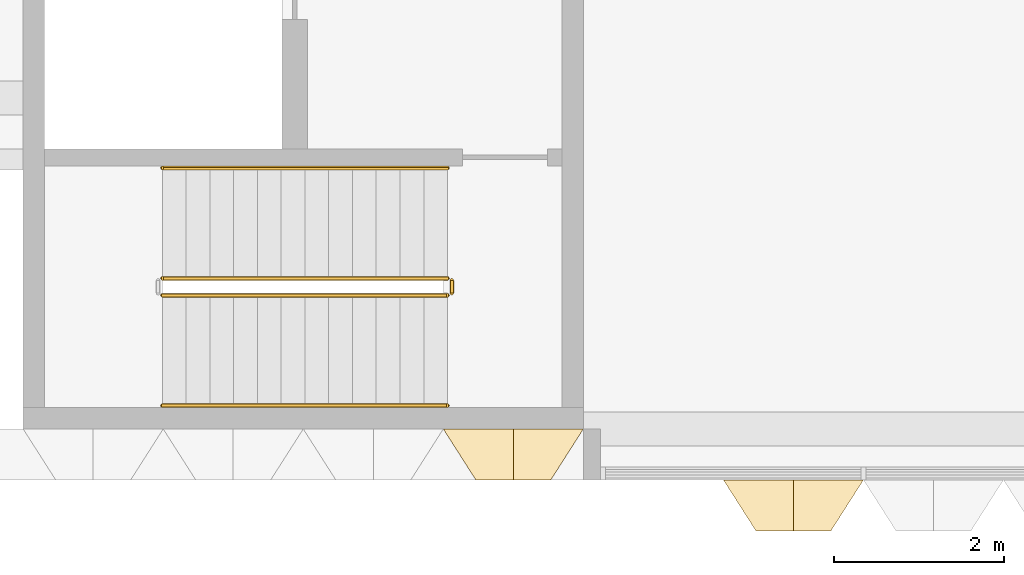
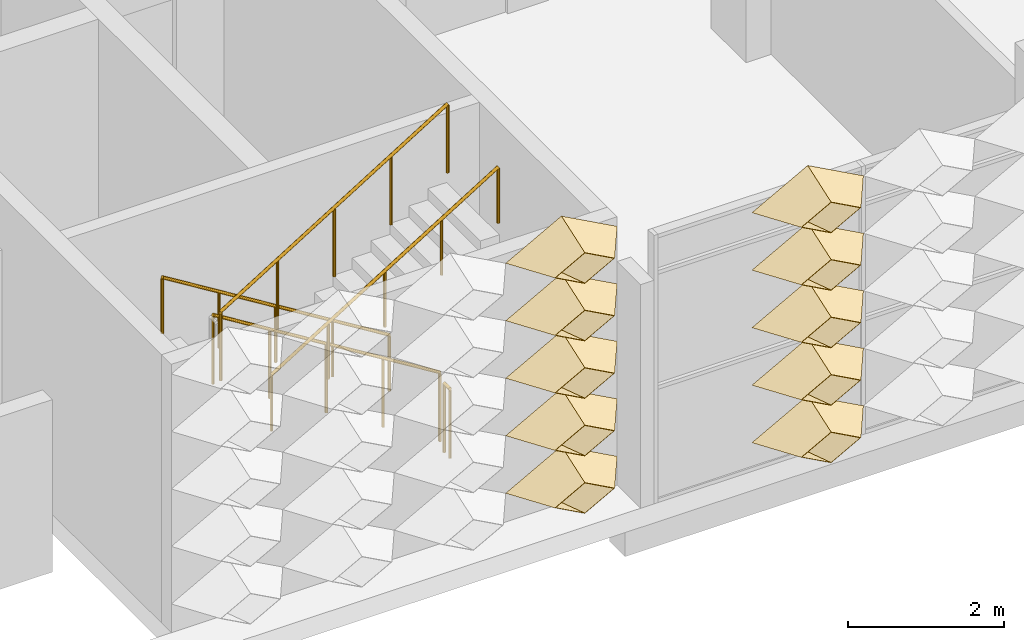
# One storey, part 63 of 102: 10 coverings, 5 railings.
"""IFC4 building model written with IfcOpenShell, lengths in metres."""

from ifc_helpers import new_model, entity, si_unit, direction, frame, origin, origin_2d, place, context, subcontext, project, spatial, circle, extrude, material, layer, layer_set, type_object, element, save


model = new_model("IFC4")

# Units and contexts
model_context = context("Model", 3, precision=1e-05, world=origin(), true_north=direction((0.0, 1.0)))
body_context = subcontext(model_context, "Body", "Model", "MODEL_VIEW")
ifc_project = project(units=[si_unit("LENGTHUNIT", "METRE"), si_unit("AREAUNIT", "SQUARE_METRE"), si_unit("VOLUMEUNIT", "CUBIC_METRE"), si_unit("PLANEANGLEUNIT", "RADIAN"), si_unit("MASSUNIT", "GRAM", prefix="KILO")], contexts=[model_context])

# Site, building, storey
site_placement = place(None, origin())
site = spatial("IfcSite", under=ifc_project, at=site_placement, CompositionType="ELEMENT")
building_placement = place(site_placement, origin())
building = spatial("IfcBuilding", under=site, at=building_placement, Name="Lantern Court Research Institute", CompositionType="ELEMENT")
storey_placement = place(building_placement, frame((0.0, 0.0, 9.89990234375)))
storey = spatial("IfcBuildingStorey", under=building, at=storey_placement, Name="L02", CompositionType="ELEMENT", Elevation=9.89990234375)

# Coverings
ifc_material_1 = material(Name="Anodised aluminium", Category="aluminium")
ifc_layer = layer(ifc_material_1, 0.01611328125)
ifc_layer_set = layer_set([ifc_layer], Name="Anodised aluminium")
covering_type = type_object("IfcCoveringType", Name="Fin cassette 1650 x 900 x 600 aluminium", PredefinedType="CLADDING", material=ifc_layer_set)
covering_1_placement = place(storey_placement, frame((58.574951171875, -7.800048828125, 0.4501953125), z_axis=(0.0, -1.0, 0.0), x_axis=(1.0, 0.0, 0.0)))
cartesian_point_1 = entity("IfcCartesianPoint", [0.824951171875, 0.0])
cartesian_point_2 = entity("IfcCartesianPoint", [0.79150390625, 0.0])
cartesian_point_3 = entity("IfcCartesianPoint", [0.44189453125, 0.0])
cartesian_point_4 = entity("IfcCartesianPoint", [0.43359375, 0.0])
element("IfcCovering", 1, at=covering_1_placement, inside=storey, type_object=covering_type, Name="Fin cassette V5S-L02 1.36", PredefinedType="CLADDING", context=body_context, shape_type="SweptSolid", body=[
    entity("IfcExtrudedAreaSolidTapered", entity("IfcArbitraryProfileDefWithVoids", "AREA", None, entity("IfcPolyline", [cartesian_point_1, entity("IfcCartesianPoint", [0.0, 0.449951171875]), entity("IfcCartesianPoint", [-0.824951171875, 0.0]), entity("IfcCartesianPoint", [0.0, -0.449951171875]), cartesian_point_1]), [entity("IfcPolyline", [cartesian_point_2, entity("IfcCartesianPoint", [0.0, 0.431884765625]), entity("IfcCartesianPoint", [-0.79150390625, 0.0]), entity("IfcCartesianPoint", [0.0, -0.431884765625]), cartesian_point_2])]), entity("IfcAxis2Placement3D", entity("IfcCartesianPoint", [0.0, 0.0, 0.0])), entity("IfcDirection", [0.0, 0.0, 1.0]), 0.60009765625, entity("IfcArbitraryProfileDefWithVoids", "AREA", None, entity("IfcPolyline", [cartesian_point_3, entity("IfcCartesianPoint", [0.0, 0.240966796875]), entity("IfcCartesianPoint", [-0.44189453125, 0.0]), entity("IfcCartesianPoint", [0.0, -0.240966796875]), cartesian_point_3]), [entity("IfcPolyline", [cartesian_point_4, entity("IfcCartesianPoint", [0.0, 0.236572265625]), entity("IfcCartesianPoint", [-0.43359375, 0.0]), entity("IfcCartesianPoint", [0.0, -0.236572265625]), cartesian_point_4])])),
])
covering_2_placement = place(storey_placement, frame((58.574951171875, -7.800048828125, 1.35009765625), z_axis=(0.0, -1.0, 0.0), x_axis=(1.0, 0.0, 0.0)))
cartesian_point_5 = entity("IfcCartesianPoint", [0.824951171875, 0.0])
cartesian_point_6 = entity("IfcCartesianPoint", [0.79150390625, 0.0])
cartesian_point_7 = entity("IfcCartesianPoint", [0.44189453125, 0.0])
cartesian_point_8 = entity("IfcCartesianPoint", [0.43359375, 0.0])
element("IfcCovering", 2, at=covering_2_placement, inside=storey, type_object=covering_type, Name="Fin cassette V5S-L02 2.36", PredefinedType="CLADDING", context=body_context, shape_type="SweptSolid", body=[
    entity("IfcExtrudedAreaSolidTapered", entity("IfcArbitraryProfileDefWithVoids", "AREA", None, entity("IfcPolyline", [cartesian_point_5, entity("IfcCartesianPoint", [0.0, 0.449951171875]), entity("IfcCartesianPoint", [-0.824951171875, 0.0]), entity("IfcCartesianPoint", [0.0, -0.449951171875]), cartesian_point_5]), [entity("IfcPolyline", [cartesian_point_6, entity("IfcCartesianPoint", [0.0, 0.431884765625]), entity("IfcCartesianPoint", [-0.79150390625, 0.0]), entity("IfcCartesianPoint", [0.0, -0.431884765625]), cartesian_point_6])]), entity("IfcAxis2Placement3D", entity("IfcCartesianPoint", [0.0, 0.0, 0.0])), entity("IfcDirection", [0.0, 0.0, 1.0]), 0.60009765625, entity("IfcArbitraryProfileDefWithVoids", "AREA", None, entity("IfcPolyline", [cartesian_point_7, entity("IfcCartesianPoint", [0.0, 0.240966796875]), entity("IfcCartesianPoint", [-0.44189453125, 0.0]), entity("IfcCartesianPoint", [0.0, -0.240966796875]), cartesian_point_7]), [entity("IfcPolyline", [cartesian_point_8, entity("IfcCartesianPoint", [0.0, 0.236572265625]), entity("IfcCartesianPoint", [-0.43359375, 0.0]), entity("IfcCartesianPoint", [0.0, -0.236572265625]), cartesian_point_8])])),
])
covering_3_placement = place(storey_placement, frame((58.574951171875, -7.800048828125, 2.25), z_axis=(0.0, -1.0, 0.0), x_axis=(1.0, 0.0, 0.0)))
cartesian_point_9 = entity("IfcCartesianPoint", [0.824951171875, 0.0])
cartesian_point_10 = entity("IfcCartesianPoint", [0.79150390625, 0.0])
cartesian_point_11 = entity("IfcCartesianPoint", [0.44189453125, 0.0])
cartesian_point_12 = entity("IfcCartesianPoint", [0.43359375, 0.0])
element("IfcCovering", 3, at=covering_3_placement, inside=storey, type_object=covering_type, Name="Fin cassette V5S-L02 3.36", PredefinedType="CLADDING", context=body_context, shape_type="SweptSolid", body=[
    entity("IfcExtrudedAreaSolidTapered", entity("IfcArbitraryProfileDefWithVoids", "AREA", None, entity("IfcPolyline", [cartesian_point_9, entity("IfcCartesianPoint", [0.0, 0.449951171875]), entity("IfcCartesianPoint", [-0.824951171875, 0.0]), entity("IfcCartesianPoint", [0.0, -0.449951171875]), cartesian_point_9]), [entity("IfcPolyline", [cartesian_point_10, entity("IfcCartesianPoint", [0.0, 0.431884765625]), entity("IfcCartesianPoint", [-0.79150390625, 0.0]), entity("IfcCartesianPoint", [0.0, -0.431884765625]), cartesian_point_10])]), entity("IfcAxis2Placement3D", entity("IfcCartesianPoint", [0.0, 0.0, 0.0])), entity("IfcDirection", [0.0, 0.0, 1.0]), 0.60009765625, entity("IfcArbitraryProfileDefWithVoids", "AREA", None, entity("IfcPolyline", [cartesian_point_11, entity("IfcCartesianPoint", [0.0, 0.240966796875]), entity("IfcCartesianPoint", [-0.44189453125, 0.0]), entity("IfcCartesianPoint", [0.0, -0.240966796875]), cartesian_point_11]), [entity("IfcPolyline", [cartesian_point_12, entity("IfcCartesianPoint", [0.0, 0.236572265625]), entity("IfcCartesianPoint", [-0.43359375, 0.0]), entity("IfcCartesianPoint", [0.0, -0.236572265625]), cartesian_point_12])])),
])
covering_4_placement = place(storey_placement, frame((58.574951171875, -7.800048828125, 3.150146484375), z_axis=(0.0, -1.0, 0.0), x_axis=(1.0, 0.0, 0.0)))
cartesian_point_13 = entity("IfcCartesianPoint", [0.824951171875, 0.0])
cartesian_point_14 = entity("IfcCartesianPoint", [0.79150390625, 0.0])
cartesian_point_15 = entity("IfcCartesianPoint", [0.44189453125, 0.0])
cartesian_point_16 = entity("IfcCartesianPoint", [0.43359375, 0.0])
element("IfcCovering", 4, at=covering_4_placement, inside=storey, type_object=covering_type, Name="Fin cassette V5S-L02 4.36", PredefinedType="CLADDING", context=body_context, shape_type="SweptSolid", body=[
    entity("IfcExtrudedAreaSolidTapered", entity("IfcArbitraryProfileDefWithVoids", "AREA", None, entity("IfcPolyline", [cartesian_point_13, entity("IfcCartesianPoint", [0.0, 0.449951171875]), entity("IfcCartesianPoint", [-0.824951171875, 0.0]), entity("IfcCartesianPoint", [0.0, -0.449951171875]), cartesian_point_13]), [entity("IfcPolyline", [cartesian_point_14, entity("IfcCartesianPoint", [0.0, 0.431884765625]), entity("IfcCartesianPoint", [-0.79150390625, 0.0]), entity("IfcCartesianPoint", [0.0, -0.431884765625]), cartesian_point_14])]), entity("IfcAxis2Placement3D", entity("IfcCartesianPoint", [0.0, 0.0, 0.0])), entity("IfcDirection", [0.0, 0.0, 1.0]), 0.60009765625, entity("IfcArbitraryProfileDefWithVoids", "AREA", None, entity("IfcPolyline", [cartesian_point_15, entity("IfcCartesianPoint", [0.0, 0.240966796875]), entity("IfcCartesianPoint", [-0.44189453125, 0.0]), entity("IfcCartesianPoint", [0.0, -0.240966796875]), cartesian_point_15]), [entity("IfcPolyline", [cartesian_point_16, entity("IfcCartesianPoint", [0.0, 0.236572265625]), entity("IfcCartesianPoint", [-0.43359375, 0.0]), entity("IfcCartesianPoint", [0.0, -0.236572265625]), cartesian_point_16])])),
])
covering_5_placement = place(storey_placement, frame((58.574951171875, -7.800048828125, 4.050048828125), z_axis=(0.0, -1.0, 0.0), x_axis=(1.0, 0.0, 0.0)))
cartesian_point_17 = entity("IfcCartesianPoint", [0.824951171875, 0.0])
cartesian_point_18 = entity("IfcCartesianPoint", [0.79150390625, 0.0])
cartesian_point_19 = entity("IfcCartesianPoint", [0.44189453125, 0.0])
cartesian_point_20 = entity("IfcCartesianPoint", [0.43359375, 0.0])
element("IfcCovering", 5, at=covering_5_placement, inside=storey, type_object=covering_type, Name="Fin cassette V5S-L02 5.36", PredefinedType="CLADDING", context=body_context, shape_type="SweptSolid", body=[
    entity("IfcExtrudedAreaSolidTapered", entity("IfcArbitraryProfileDefWithVoids", "AREA", None, entity("IfcPolyline", [cartesian_point_17, entity("IfcCartesianPoint", [0.0, 0.449951171875]), entity("IfcCartesianPoint", [-0.824951171875, 0.0]), entity("IfcCartesianPoint", [0.0, -0.449951171875]), cartesian_point_17]), [entity("IfcPolyline", [cartesian_point_18, entity("IfcCartesianPoint", [0.0, 0.431884765625]), entity("IfcCartesianPoint", [-0.79150390625, 0.0]), entity("IfcCartesianPoint", [0.0, -0.431884765625]), cartesian_point_18])]), entity("IfcAxis2Placement3D", entity("IfcCartesianPoint", [0.0, 0.0, 0.0])), entity("IfcDirection", [0.0, 0.0, 1.0]), 0.60009765625, entity("IfcArbitraryProfileDefWithVoids", "AREA", None, entity("IfcPolyline", [cartesian_point_19, entity("IfcCartesianPoint", [0.0, 0.240966796875]), entity("IfcCartesianPoint", [-0.44189453125, 0.0]), entity("IfcCartesianPoint", [0.0, -0.240966796875]), cartesian_point_19]), [entity("IfcPolyline", [cartesian_point_20, entity("IfcCartesianPoint", [0.0, 0.236572265625]), entity("IfcCartesianPoint", [-0.43359375, 0.0]), entity("IfcCartesianPoint", [0.0, -0.236572265625]), cartesian_point_20])])),
])
covering_6_placement = place(storey_placement, frame((61.875, -8.39990234375, 0.4501953125), z_axis=(0.0, -1.0, 0.0), x_axis=(1.0, 0.0, 0.0)))
cartesian_point_21 = entity("IfcCartesianPoint", [0.824951171875, 0.0])
cartesian_point_22 = entity("IfcCartesianPoint", [0.79150390625, 0.0])
cartesian_point_23 = entity("IfcCartesianPoint", [0.44189453125, 0.0])
cartesian_point_24 = entity("IfcCartesianPoint", [0.43359375, 0.0])
element("IfcCovering", 6, at=covering_6_placement, inside=storey, type_object=covering_type, Name="Fin cassette V5S-L02 1.38", PredefinedType="CLADDING", context=body_context, shape_type="SweptSolid", body=[
    entity("IfcExtrudedAreaSolidTapered", entity("IfcArbitraryProfileDefWithVoids", "AREA", None, entity("IfcPolyline", [cartesian_point_21, entity("IfcCartesianPoint", [0.0, 0.449951171875]), entity("IfcCartesianPoint", [-0.824951171875, 0.0]), entity("IfcCartesianPoint", [0.0, -0.449951171875]), cartesian_point_21]), [entity("IfcPolyline", [cartesian_point_22, entity("IfcCartesianPoint", [0.0, 0.431884765625]), entity("IfcCartesianPoint", [-0.79150390625, 0.0]), entity("IfcCartesianPoint", [0.0, -0.431884765625]), cartesian_point_22])]), entity("IfcAxis2Placement3D", entity("IfcCartesianPoint", [0.0, 0.0, 0.0])), entity("IfcDirection", [0.0, 0.0, 1.0]), 0.60009765625, entity("IfcArbitraryProfileDefWithVoids", "AREA", None, entity("IfcPolyline", [cartesian_point_23, entity("IfcCartesianPoint", [0.0, 0.240966796875]), entity("IfcCartesianPoint", [-0.44189453125, 0.0]), entity("IfcCartesianPoint", [0.0, -0.240966796875]), cartesian_point_23]), [entity("IfcPolyline", [cartesian_point_24, entity("IfcCartesianPoint", [0.0, 0.236572265625]), entity("IfcCartesianPoint", [-0.43359375, 0.0]), entity("IfcCartesianPoint", [0.0, -0.236572265625]), cartesian_point_24])])),
])
covering_7_placement = place(storey_placement, frame((61.875, -8.39990234375, 1.35009765625), z_axis=(0.0, -1.0, 0.0), x_axis=(1.0, 0.0, 0.0)))
cartesian_point_25 = entity("IfcCartesianPoint", [0.824951171875, 0.0])
cartesian_point_26 = entity("IfcCartesianPoint", [0.79150390625, 0.0])
cartesian_point_27 = entity("IfcCartesianPoint", [0.44189453125, 0.0])
cartesian_point_28 = entity("IfcCartesianPoint", [0.43359375, 0.0])
element("IfcCovering", 7, at=covering_7_placement, inside=storey, type_object=covering_type, Name="Fin cassette V5S-L02 2.38", PredefinedType="CLADDING", context=body_context, shape_type="SweptSolid", body=[
    entity("IfcExtrudedAreaSolidTapered", entity("IfcArbitraryProfileDefWithVoids", "AREA", None, entity("IfcPolyline", [cartesian_point_25, entity("IfcCartesianPoint", [0.0, 0.449951171875]), entity("IfcCartesianPoint", [-0.824951171875, 0.0]), entity("IfcCartesianPoint", [0.0, -0.449951171875]), cartesian_point_25]), [entity("IfcPolyline", [cartesian_point_26, entity("IfcCartesianPoint", [0.0, 0.431884765625]), entity("IfcCartesianPoint", [-0.79150390625, 0.0]), entity("IfcCartesianPoint", [0.0, -0.431884765625]), cartesian_point_26])]), entity("IfcAxis2Placement3D", entity("IfcCartesianPoint", [0.0, 0.0, 0.0])), entity("IfcDirection", [0.0, 0.0, 1.0]), 0.60009765625, entity("IfcArbitraryProfileDefWithVoids", "AREA", None, entity("IfcPolyline", [cartesian_point_27, entity("IfcCartesianPoint", [0.0, 0.240966796875]), entity("IfcCartesianPoint", [-0.44189453125, 0.0]), entity("IfcCartesianPoint", [0.0, -0.240966796875]), cartesian_point_27]), [entity("IfcPolyline", [cartesian_point_28, entity("IfcCartesianPoint", [0.0, 0.236572265625]), entity("IfcCartesianPoint", [-0.43359375, 0.0]), entity("IfcCartesianPoint", [0.0, -0.236572265625]), cartesian_point_28])])),
])
covering_8_placement = place(storey_placement, frame((61.875, -8.39990234375, 2.25), z_axis=(0.0, -1.0, 0.0), x_axis=(1.0, 0.0, 0.0)))
cartesian_point_29 = entity("IfcCartesianPoint", [0.824951171875, 0.0])
cartesian_point_30 = entity("IfcCartesianPoint", [0.79150390625, 0.0])
cartesian_point_31 = entity("IfcCartesianPoint", [0.44189453125, 0.0])
cartesian_point_32 = entity("IfcCartesianPoint", [0.43359375, 0.0])
element("IfcCovering", 8, at=covering_8_placement, inside=storey, type_object=covering_type, Name="Fin cassette V5S-L02 3.38", PredefinedType="CLADDING", context=body_context, shape_type="SweptSolid", body=[
    entity("IfcExtrudedAreaSolidTapered", entity("IfcArbitraryProfileDefWithVoids", "AREA", None, entity("IfcPolyline", [cartesian_point_29, entity("IfcCartesianPoint", [0.0, 0.449951171875]), entity("IfcCartesianPoint", [-0.824951171875, 0.0]), entity("IfcCartesianPoint", [0.0, -0.449951171875]), cartesian_point_29]), [entity("IfcPolyline", [cartesian_point_30, entity("IfcCartesianPoint", [0.0, 0.431884765625]), entity("IfcCartesianPoint", [-0.79150390625, 0.0]), entity("IfcCartesianPoint", [0.0, -0.431884765625]), cartesian_point_30])]), entity("IfcAxis2Placement3D", entity("IfcCartesianPoint", [0.0, 0.0, 0.0])), entity("IfcDirection", [0.0, 0.0, 1.0]), 0.60009765625, entity("IfcArbitraryProfileDefWithVoids", "AREA", None, entity("IfcPolyline", [cartesian_point_31, entity("IfcCartesianPoint", [0.0, 0.240966796875]), entity("IfcCartesianPoint", [-0.44189453125, 0.0]), entity("IfcCartesianPoint", [0.0, -0.240966796875]), cartesian_point_31]), [entity("IfcPolyline", [cartesian_point_32, entity("IfcCartesianPoint", [0.0, 0.236572265625]), entity("IfcCartesianPoint", [-0.43359375, 0.0]), entity("IfcCartesianPoint", [0.0, -0.236572265625]), cartesian_point_32])])),
])
covering_9_placement = place(storey_placement, frame((61.875, -8.39990234375, 3.150146484375), z_axis=(0.0, -1.0, 0.0), x_axis=(1.0, 0.0, 0.0)))
cartesian_point_33 = entity("IfcCartesianPoint", [0.824951171875, 0.0])
cartesian_point_34 = entity("IfcCartesianPoint", [0.79150390625, 0.0])
cartesian_point_35 = entity("IfcCartesianPoint", [0.44189453125, 0.0])
cartesian_point_36 = entity("IfcCartesianPoint", [0.43359375, 0.0])
element("IfcCovering", 9, at=covering_9_placement, inside=storey, type_object=covering_type, Name="Fin cassette V5S-L02 4.38", PredefinedType="CLADDING", context=body_context, shape_type="SweptSolid", body=[
    entity("IfcExtrudedAreaSolidTapered", entity("IfcArbitraryProfileDefWithVoids", "AREA", None, entity("IfcPolyline", [cartesian_point_33, entity("IfcCartesianPoint", [0.0, 0.449951171875]), entity("IfcCartesianPoint", [-0.824951171875, 0.0]), entity("IfcCartesianPoint", [0.0, -0.449951171875]), cartesian_point_33]), [entity("IfcPolyline", [cartesian_point_34, entity("IfcCartesianPoint", [0.0, 0.431884765625]), entity("IfcCartesianPoint", [-0.79150390625, 0.0]), entity("IfcCartesianPoint", [0.0, -0.431884765625]), cartesian_point_34])]), entity("IfcAxis2Placement3D", entity("IfcCartesianPoint", [0.0, 0.0, 0.0])), entity("IfcDirection", [0.0, 0.0, 1.0]), 0.60009765625, entity("IfcArbitraryProfileDefWithVoids", "AREA", None, entity("IfcPolyline", [cartesian_point_35, entity("IfcCartesianPoint", [0.0, 0.240966796875]), entity("IfcCartesianPoint", [-0.44189453125, 0.0]), entity("IfcCartesianPoint", [0.0, -0.240966796875]), cartesian_point_35]), [entity("IfcPolyline", [cartesian_point_36, entity("IfcCartesianPoint", [0.0, 0.236572265625]), entity("IfcCartesianPoint", [-0.43359375, 0.0]), entity("IfcCartesianPoint", [0.0, -0.236572265625]), cartesian_point_36])])),
])
covering_10_placement = place(storey_placement, frame((61.875, -8.39990234375, 4.050048828125), z_axis=(0.0, -1.0, 0.0), x_axis=(1.0, 0.0, 0.0)))
cartesian_point_37 = entity("IfcCartesianPoint", [0.824951171875, 0.0])
cartesian_point_38 = entity("IfcCartesianPoint", [0.79150390625, 0.0])
cartesian_point_39 = entity("IfcCartesianPoint", [0.44189453125, 0.0])
cartesian_point_40 = entity("IfcCartesianPoint", [0.43359375, 0.0])
element("IfcCovering", 10, at=covering_10_placement, inside=storey, type_object=covering_type, Name="Fin cassette V5S-L02 5.38", PredefinedType="CLADDING", context=body_context, shape_type="SweptSolid", body=[
    entity("IfcExtrudedAreaSolidTapered", entity("IfcArbitraryProfileDefWithVoids", "AREA", None, entity("IfcPolyline", [cartesian_point_37, entity("IfcCartesianPoint", [0.0, 0.449951171875]), entity("IfcCartesianPoint", [-0.824951171875, 0.0]), entity("IfcCartesianPoint", [0.0, -0.449951171875]), cartesian_point_37]), [entity("IfcPolyline", [cartesian_point_38, entity("IfcCartesianPoint", [0.0, 0.431884765625]), entity("IfcCartesianPoint", [-0.79150390625, 0.0]), entity("IfcCartesianPoint", [0.0, -0.431884765625]), cartesian_point_38])]), entity("IfcAxis2Placement3D", entity("IfcCartesianPoint", [0.0, 0.0, 0.0])), entity("IfcDirection", [0.0, 0.0, 1.0]), 0.60009765625, entity("IfcArbitraryProfileDefWithVoids", "AREA", None, entity("IfcPolyline", [cartesian_point_39, entity("IfcCartesianPoint", [0.0, 0.240966796875]), entity("IfcCartesianPoint", [-0.44189453125, 0.0]), entity("IfcCartesianPoint", [0.0, -0.240966796875]), cartesian_point_39]), [entity("IfcPolyline", [cartesian_point_40, entity("IfcCartesianPoint", [0.0, 0.236572265625]), entity("IfcCartesianPoint", [-0.43359375, 0.0]), entity("IfcCartesianPoint", [0.0, -0.236572265625]), cartesian_point_40])])),
])

# Railings
ifc_material_2 = material(Name="Structural steel S355", Category="steel")
railing_type_1 = type_object("IfcRailingType", Name="Stair guard 1100 steel", PredefinedType="GUARDRAIL", material=ifc_material_2)
railing_1_placement = place(storey_placement, frame((57.800048828125, -6.02490234375, 0.173095703125)))
element("IfcRailing", 11, at=railing_1_placement, inside=storey, type_object=railing_type_1, Name="L02 ST-T1 stair guard 1", PredefinedType="GUARDRAIL", context=body_context, shape_type="SweptSolid", body=[
    extrude(circle(Radius=0.02392578125, at=origin_2d()), frame((0.0, 0.0, 1.076171875), z_axis=(-0.850623216509, 0.0, 0.525775754039), x_axis=(0.0, -1.0, 0.0)), (0.0, 0.0, 1.0), 3.9501953125),
    extrude(circle(Radius=0.02099609375, at=origin_2d()), origin(), (0.0, 0.0, 1.0), 1.052001953125),
    extrude(circle(Radius=0.02099609375, at=origin_2d()), frame((-0.840087890625, 0.0, 0.519287109375)), (0.0, 0.0, 1.0), 1.052001953125),
    extrude(circle(Radius=0.02099609375, at=origin_2d()), frame((-1.68017578125, 0.0, 1.03857421875)), (0.0, 0.0, 1.0), 1.052001953125),
    extrude(circle(Radius=0.02099609375, at=origin_2d()), frame((-2.52001953125, 0.0, 1.5576171875)), (0.0, 0.0, 1.0), 1.052001953125),
    extrude(circle(Radius=0.02099609375, at=origin_2d()), frame((-3.360107421875, 0.0, 2.076904296875)), (0.0, 0.0, 1.0), 1.052001953125),
])
railing_2_placement = place(storey_placement, frame((54.43994140625, -6.22509765625, 2.423095703125)))
element("IfcRailing", 12, at=railing_2_placement, inside=storey, type_object=railing_type_1, Name="L02 ST-T1 stair guard 3", PredefinedType="GUARDRAIL", context=body_context, shape_type="SweptSolid", body=[
    extrude(circle(Radius=0.02392578125, at=origin_2d()), frame((0.0, 0.0, 1.076171875), z_axis=(0.850623216509, 0.0, 0.525775754039), x_axis=(0.0, 1.0, 0.0)), (0.0, 0.0, 1.0), 3.9501953125),
    extrude(circle(Radius=0.02099609375, at=origin_2d()), origin(), (0.0, 0.0, 1.0), 1.052001953125),
    extrude(circle(Radius=0.02099609375, at=origin_2d()), frame((0.840087890625, 0.0, 0.519287109375)), (0.0, 0.0, 1.0), 1.052001953125),
    extrude(circle(Radius=0.02099609375, at=origin_2d()), frame((1.68017578125, 0.0, 1.03857421875)), (0.0, 0.0, 1.0), 1.052001953125),
    extrude(circle(Radius=0.02099609375, at=origin_2d()), frame((2.52001953125, 0.0, 1.5576171875)), (0.0, 0.0, 1.0), 1.052001953125),
    extrude(circle(Radius=0.02099609375, at=origin_2d()), frame((3.360107421875, 0.0, 2.076904296875)), (0.0, 0.0, 1.0), 1.052001953125),
])
railing_3_placement = place(storey_placement, frame((57.85009765625, -6.050048828125, 0.0)))
element("IfcRailing", 13, at=railing_3_placement, inside=storey, type_object=railing_type_1, Name="L02 ST-T1 stair guard 4", PredefinedType="GUARDRAIL", context=body_context, shape_type="SweptSolid", body=[
    extrude(circle(Radius=0.02392578125, at=origin_2d()), frame((0.0, 0.0, 1.076171875), z_axis=(0.0, -1.0, 0.0), x_axis=(1.0, 0.0, 0.0)), (0.0, 0.0, 1.0), 0.14990234375),
    extrude(circle(Radius=0.02099609375, at=origin_2d()), origin(), (0.0, 0.0, 1.0), 1.052001953125),
    extrude(circle(Radius=0.02099609375, at=origin_2d()), frame((0.0, -0.14990234375, 0.0)), (0.0, 0.0, 1.0), 1.052001953125),
])
ifc_material_3 = material(Name="Stainless steel 316", Category="steel")
railing_type_2 = type_object("IfcRailingType", Name="Stair handrail 900 steel", PredefinedType="HANDRAIL", material=ifc_material_3)
railing_4_placement = place(storey_placement, frame((57.800048828125, -4.72509765625, 0.173095703125)))
element("IfcRailing", 14, at=railing_4_placement, inside=storey, type_object=railing_type_2, Name="L02 ST-T1 stair handrail 1", PredefinedType="HANDRAIL", context=body_context, shape_type="SweptSolid", body=[
    extrude(circle(Radius=0.02392578125, at=origin_2d()), frame((0.0, 0.0, 0.8759765625), z_axis=(-0.850623216509, 0.0, 0.525775754039), x_axis=(0.0, -1.0, 0.0)), (0.0, 0.0, 1.0), 3.9501953125),
    extrude(circle(Radius=0.02099609375, at=origin_2d()), origin(), (0.0, 0.0, 1.0), 0.851806640625),
    extrude(circle(Radius=0.02099609375, at=origin_2d()), frame((-0.840087890625, 0.0, 0.519287109375)), (0.0, 0.0, 1.0), 0.851806640625),
    extrude(circle(Radius=0.02099609375, at=origin_2d()), frame((-1.68017578125, 0.0, 1.03857421875)), (0.0, 0.0, 1.0), 0.851806640625),
    extrude(circle(Radius=0.02099609375, at=origin_2d()), frame((-2.52001953125, 0.0, 1.5576171875)), (0.0, 0.0, 1.0), 0.851806640625),
    extrude(circle(Radius=0.02099609375, at=origin_2d()), frame((-3.360107421875, 0.0, 2.076904296875)), (0.0, 0.0, 1.0), 0.851806640625),
])
railing_5_placement = place(storey_placement, frame((54.43994140625, -7.52490234375, 2.423095703125)))
element("IfcRailing", 15, at=railing_5_placement, inside=storey, type_object=railing_type_2, Name="L02 ST-T1 stair handrail 2", PredefinedType="HANDRAIL", context=body_context, shape_type="SweptSolid", body=[
    extrude(circle(Radius=0.02392578125, at=origin_2d()), frame((0.0, 0.0, 0.8759765625), z_axis=(0.850623216509, 0.0, 0.525775754039), x_axis=(0.0, 1.0, 0.0)), (0.0, 0.0, 1.0), 3.9501953125),
    extrude(circle(Radius=0.02099609375, at=origin_2d()), origin(), (0.0, 0.0, 1.0), 0.851806640625),
    extrude(circle(Radius=0.02099609375, at=origin_2d()), frame((0.840087890625, 0.0, 0.519287109375)), (0.0, 0.0, 1.0), 0.851806640625),
    extrude(circle(Radius=0.02099609375, at=origin_2d()), frame((1.68017578125, 0.0, 1.03857421875)), (0.0, 0.0, 1.0), 0.851806640625),
    extrude(circle(Radius=0.02099609375, at=origin_2d()), frame((2.52001953125, 0.0, 1.5576171875)), (0.0, 0.0, 1.0), 0.851806640625),
    extrude(circle(Radius=0.02099609375, at=origin_2d()), frame((3.360107421875, 0.0, 2.076904296875)), (0.0, 0.0, 1.0), 0.851806640625),
])

save(model, "model.ifc")
